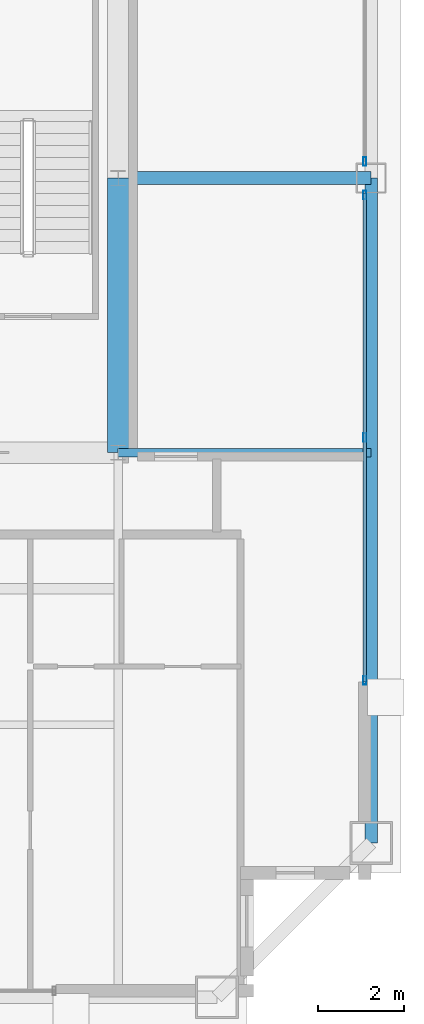
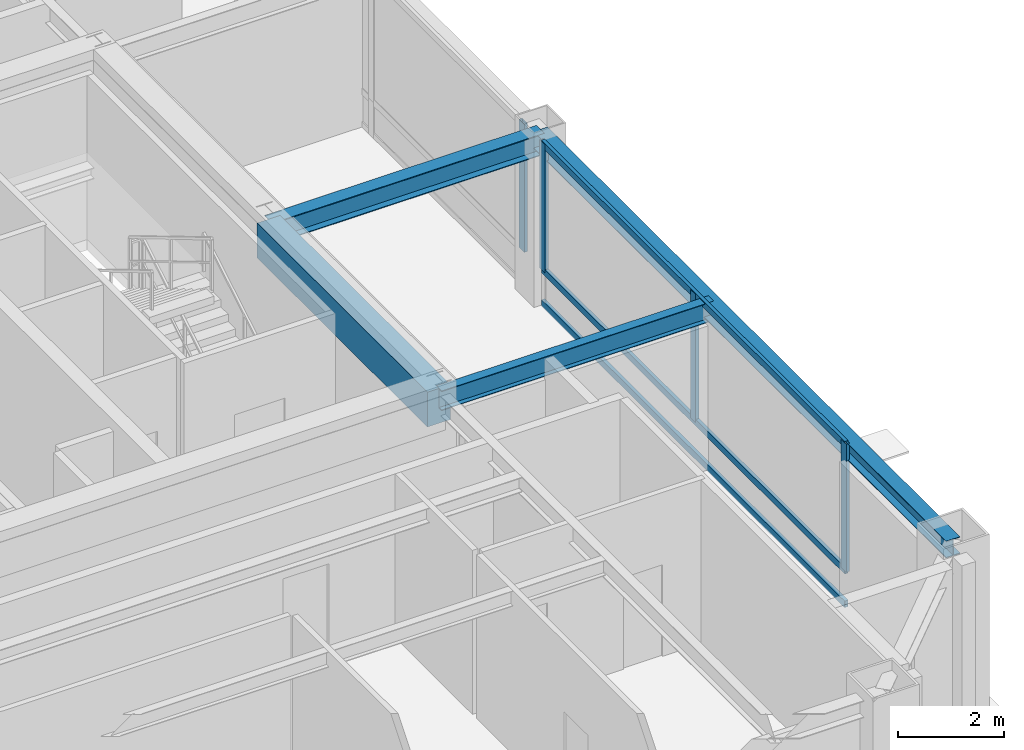
# One storey, part 14 of 34: 7 members, 4 beams, 2 elements without a shape of their own.
"""IFC4 building model written with IfcOpenShell, lengths in metres."""

from ifc_helpers import new_model, si_unit, direction, frame, origin, origin_2d, place, context, subcontext, project, spatial, rectangle, hollow_rectangle, i_section, extrude, source, transform, mapped, material, layer, layer_set, material_profile, profile_set, type_object, element, aggregate, save


model = new_model("IFC4")

# Units and contexts
model_context = context("Model", 3, precision=1e-05, world=origin(), true_north=direction((0.0, 1.0)))
body_context = subcontext(model_context, "Body", "Model", "MODEL_VIEW")
ifc_project = project(units=[si_unit("LENGTHUNIT", "METRE"), si_unit("AREAUNIT", "SQUARE_METRE"), si_unit("VOLUMEUNIT", "CUBIC_METRE"), si_unit("PLANEANGLEUNIT", "RADIAN"), si_unit("MASSUNIT", "GRAM", prefix="KILO"), si_unit("THERMODYNAMICTEMPERATUREUNIT", "KELVIN"), si_unit("POWERUNIT", "WATT")], contexts=[model_context])

# Site, building, storey
site_placement = place(None, origin())
site = spatial("IfcSite", under=ifc_project, at=site_placement, CompositionType="ELEMENT")
building_placement = place(site_placement, origin())
building = spatial("IfcBuilding", under=site, at=building_placement, Name="Yuzanri Waterfront Tower", CompositionType="ELEMENT")
storey_placement = place(building_placement, frame((0.0, 0.0, 339.199951171875)))
storey = spatial("IfcBuildingStorey", under=building, at=storey_placement, Name="L91", CompositionType="ELEMENT", Elevation=339.199951171875)

# Beams
ifc_material_1 = material(Name="Concrete C50", Category="concrete")
ifc_material_profile_1 = material_profile(ifc_material_1, rectangle(XDim=0.5, YDim=0.800048828125, at=origin_2d()), Name="RC 500x800")
ifc_profile_set_1 = profile_set([ifc_material_profile_1], Name="Concrete C50")
beam_type_1 = type_object("IfcBeamType", Name="Core Coupling Lintel Concrete C50 500x800", PredefinedType="LINTEL", material=ifc_profile_set_1)
shared_shape_1 = source(origin(), body_context, "Body", "SweptSolid", [
    extrude(rectangle(XDim=0.5, YDim=0.800048828125, at=origin_2d()), origin(), (0.0, 0.0, 1.0), 6.400146484375),
])
beam_1_placement = place(storey_placement, frame((50.199951171875, 19.39990234375, 3.360107421875), z_axis=(0.0, 1.0, 0.0), x_axis=(-1.0, 0.0, 0.0)))
element("IfcBeam", 1, at=beam_1_placement, inside=storey, type_object=beam_type_1, Name="L91 Core Tie Beam CE1", PredefinedType="LINTEL", context=body_context, shape_type="MappedRepresentation", body=[
    mapped(shared_shape_1, transform((0.0, 0.0, 0.0), scale=1.0)),
])
ifc_material_2 = material(Name="Steel Q355B", Category="steel")
ifc_material_profile_2 = material_profile(ifc_material_2, i_section(OverallWidth=0.300048828125, OverallDepth=0.389892578125, WebThickness=0.010009765625, FlangeThickness=0.01611328125, at=origin_2d()), Name="HM 390x300x10x16")
ifc_profile_set_2 = profile_set([ifc_material_profile_2], Name="Steel Q355B")
beam_type_2 = type_object("IfcBeamType", Name="Perimeter Spandrel Q355B HM 390x300", PredefinedType="SPANDREL", material=ifc_profile_set_2)
shared_shape_2 = source(origin(), body_context, "Body", "SweptSolid", [
    extrude(i_section(OverallWidth=0.300048828125, OverallDepth=0.389892578125, WebThickness=0.010009765625, FlangeThickness=0.01611328125, at=origin_2d()), origin(), (0.0, 0.0, 1.0), 15.5),
])
beam_2_placement = place(storey_placement, frame((56.10009765625, 10.300048828125, 3.56494140625), z_axis=(0.0, 1.0, 0.0), x_axis=(-1.0, 0.0, 0.0)))
element("IfcBeam", 2, at=beam_2_placement, inside=storey, type_object=beam_type_2, Name="L91 Perimeter Spandrel E1-E2", PredefinedType="SPANDREL", context=body_context, shape_type="MappedRepresentation", body=[
    mapped(shared_shape_2, transform((0.0, 0.0, 0.0), scale=1.0)),
])
ifc_material_3 = material(Name="Steel Q355B", Category="steel")
ifc_material_profile_3 = material_profile(ifc_material_3, i_section(OverallWidth=0.300048828125, OverallDepth=0.488037109375, WebThickness=0.010986328125, FlangeThickness=0.01806640625, at=origin_2d()), Name="HM 488x300x11x18")
ifc_profile_set_3 = profile_set([ifc_material_profile_3], Name="Steel Q355B")
beam_type_3 = type_object("IfcBeamType", Name="Primary Floor Girder Q355B HM 488x300", PredefinedType="BEAM", material=ifc_profile_set_3)
shared_shape_3 = source(origin(), body_context, "Body", "SweptSolid", [
    extrude(i_section(OverallWidth=0.300048828125, OverallDepth=0.488037109375, WebThickness=0.010986328125, FlangeThickness=0.01806640625, at=origin_2d()), origin(), (0.0, 0.0, 1.0), 5.900146484375),
])
beam_3_placement = place(storey_placement, frame((50.199951171875, 25.800048828125, 3.51611328125), z_axis=(1.0, 0.0, 0.0), x_axis=(0.0, 1.0, 0.0)))
element("IfcBeam", 3, at=beam_3_placement, inside=storey, type_object=beam_type_3, Name="L91 East Grid Girder", PredefinedType="BEAM", context=body_context, shape_type="MappedRepresentation", body=[
    mapped(shared_shape_3, transform((0.0, 0.0, 0.0), scale=1.0)),
])
ifc_material_4 = material(Name="Steel Q355B", Category="steel")
ifc_material_profile_4 = material_profile(ifc_material_4, i_section(OverallWidth=0.199951171875, OverallDepth=0.449951171875, WebThickness=0.009033203125, FlangeThickness=0.013916015625, at=origin_2d()), Name="HN 450x200x9x14")
ifc_profile_set_4 = profile_set([ifc_material_profile_4], Name="Steel Q355B")
beam_type_4 = type_object("IfcBeamType", Name="Secondary Floor Beam Q355B HN 450x200", PredefinedType="BEAM", material=ifc_profile_set_4)
shared_shape_4 = source(origin(), body_context, "Body", "SweptSolid", [
    extrude(i_section(OverallWidth=0.199951171875, OverallDepth=0.449951171875, WebThickness=0.009033203125, FlangeThickness=0.013916015625, at=origin_2d()), origin(), (0.0, 0.0, 1.0), 5.900146484375),
])
beam_4_placement = place(storey_placement, frame((50.199951171875, 19.39990234375, 3.53515625), z_axis=(1.0, 0.0, 0.0), x_axis=(0.0, 1.0, 0.0)))
element("IfcBeam", 4, at=beam_4_placement, inside=storey, type_object=beam_type_4, Name="L91 East-South Core Line Beam", PredefinedType="BEAM", context=body_context, shape_type="MappedRepresentation", body=[
    mapped(shared_shape_4, transform((0.0, 0.0, 0.0), scale=1.0)),
])

# Curtain wall, members
ifc_material_5 = material(Name="Anodized Architectural Bronze", Category="metal")
ifc_layer = layer(ifc_material_5, 0.159912109375)
ifc_layer_set = layer_set([ifc_layer], Name="Anodized Architectural Bronze")
curtain_wall_type = type_object("IfcCurtainWallType", Name="Anodized Bronze High-Rise Penthouse High-Wind Unitized Curtain Wall 6900", PredefinedType="NOTDEFINED", material=ifc_layer_set)
curtain_wall_1_placement = place(storey_placement, origin())
curtain_wall_1 = element("IfcCurtainWall", 5, at=curtain_wall_1_placement, inside=storey, type_object=curtain_wall_type, Name="L91 Curtain Wall CW-L91-EL", PredefinedType="NOTDEFINED")
ifc_material_6 = material(Name="Anodized Architectural Bronze", Category="metal")
ifc_material_profile_5 = material_profile(ifc_material_6, hollow_rectangle(XDim=0.074951171875, YDim=0.14990234375, WallThickness=0.00390625, at=origin_2d()), Name="CWT 75x150")
ifc_profile_set_5 = profile_set([ifc_material_profile_5], Name="Anodized Architectural Bronze")
member_type_1 = type_object("IfcMemberType", Name="Anodized Bronze Primary Curtain-Wall Transom 75x150", PredefinedType="USERDEFINED", material=ifc_profile_set_5)
shared_shape_5 = source(origin(), body_context, "Body", "SweptSolid", [
    extrude(hollow_rectangle(XDim=0.074951171875, YDim=0.14990234375, WallThickness=0.00390625, at=origin_2d()), origin(), (0.0, 0.0, 1.0), 11.39990234375),
])
member_1_placement = place(storey_placement, frame((55.949951171875, 14.050048828125, 0.050048828125), z_axis=(0.0, 1.0, 0.0), x_axis=(-1.0, 0.0, 0.0)))
member_1 = element("IfcMember", 6, at=member_1_placement, type_object=member_type_1, Name="CW-L91-EL Transom 1", ObjectType="TRANSOM", PredefinedType="USERDEFINED", context=body_context, shape_type="MappedRepresentation", body=[
    mapped(shared_shape_5, transform((0.0, 0.0, 0.0), scale=1.0)),
])
member_2_placement = place(storey_placement, frame((55.949951171875, 14.050048828125, 0.820068359375), z_axis=(0.0, 1.0, 0.0), x_axis=(-1.0, 0.0, 0.0)))
member_2 = element("IfcMember", 7, at=member_2_placement, type_object=member_type_1, Name="CW-L91-EL Transom 2", ObjectType="TRANSOM", PredefinedType="USERDEFINED", context=body_context, shape_type="MappedRepresentation", body=[
    mapped(shared_shape_5, transform((0.0, 0.0, 0.0), scale=1.0)),
])
member_3_placement = place(storey_placement, frame((55.949951171875, 14.050048828125, 3.7099609375), z_axis=(0.0, 1.0, 0.0), x_axis=(-1.0, 0.0, 0.0)))
member_3 = element("IfcMember", 8, at=member_3_placement, type_object=member_type_1, Name="CW-L91-EL Transom 3", ObjectType="TRANSOM", PredefinedType="USERDEFINED", context=body_context, shape_type="MappedRepresentation", body=[
    mapped(shared_shape_5, transform((0.0, 0.0, 0.0), scale=1.0)),
])
ifc_material_7 = material(Name="Anodized Architectural Bronze", Category="metal")
ifc_material_profile_6 = material_profile(ifc_material_7, hollow_rectangle(XDim=0.074951171875, YDim=0.199951171875, WallThickness=0.00390625, at=origin_2d()), Name="CWM 75x200")
ifc_profile_set_6 = profile_set([ifc_material_profile_6], Name="Anodized Architectural Bronze")
member_type_2 = type_object("IfcMemberType", Name="Anodized Bronze Primary Curtain-Wall Mullion 75x200", PredefinedType="MULLION", material=ifc_profile_set_6)
shared_shape_6 = source(origin(), body_context, "Body", "SweptSolid", [
    extrude(hollow_rectangle(XDim=0.074951171875, YDim=0.199951171875, WallThickness=0.00390625, at=origin_2d()), origin(), (0.0, 0.0, 1.0), 2.93798828125),
])
member_4_placement = place(storey_placement, frame((55.949951171875, 14.090087890625, 0.822021484375), z_axis=(0.0, 0.0, 1.0), x_axis=(1.0, 0.0, 0.0)))
member_4 = element("IfcMember", 9, at=member_4_placement, type_object=member_type_2, Name="CW-L91-EL Upper Mullion 00", PredefinedType="MULLION", context=body_context, shape_type="MappedRepresentation", body=[
    mapped(shared_shape_6, transform((0.0, 0.0, 0.0), scale=1.0)),
])
member_5_placement = place(storey_placement, frame((55.949951171875, 19.75, 0.822021484375), z_axis=(0.0, 0.0, 1.0), x_axis=(1.0, 0.0, 0.0)))
member_5 = element("IfcMember", 10, at=member_5_placement, type_object=member_type_2, Name="CW-L91-EL Upper Mullion 01", PredefinedType="MULLION", context=body_context, shape_type="MappedRepresentation", body=[
    mapped(shared_shape_6, transform((0.0, 0.0, 0.0), scale=1.0)),
])
member_6_placement = place(storey_placement, frame((55.949951171875, 25.409912109375, 0.822021484375), z_axis=(0.0, 0.0, 1.0), x_axis=(1.0, 0.0, 0.0)))
member_6 = element("IfcMember", 11, at=member_6_placement, type_object=member_type_2, Name="CW-L91-EL Upper Mullion 02", PredefinedType="MULLION", context=body_context, shape_type="MappedRepresentation", body=[
    mapped(shared_shape_6, transform((0.0, 0.0, 0.0), scale=1.0)),
])
aggregate(curtain_wall_1, [member_4, member_5, member_6, member_1, member_2, member_3])

# Curtain wall, member
curtain_wall_2_placement = place(storey_placement, origin())
curtain_wall_2 = element("IfcCurtainWall", 12, at=curtain_wall_2_placement, inside=storey, type_object=curtain_wall_type, Name="L91 Curtain Wall CW-L91-ER", PredefinedType="NOTDEFINED")
member_7_placement = place(storey_placement, frame((55.949951171875, 26.18994140625, 0.822021484375), z_axis=(0.0, 0.0, 1.0), x_axis=(1.0, 0.0, 0.0)))
member_7 = element("IfcMember", 13, at=member_7_placement, type_object=member_type_2, Name="CW-L91-ER Upper Mullion 00", PredefinedType="MULLION", context=body_context, shape_type="MappedRepresentation", body=[
    mapped(shared_shape_6, transform((0.0, 0.0, 0.0), scale=1.0)),
])
aggregate(curtain_wall_2, [member_7])

save(model, "model.ifc")
